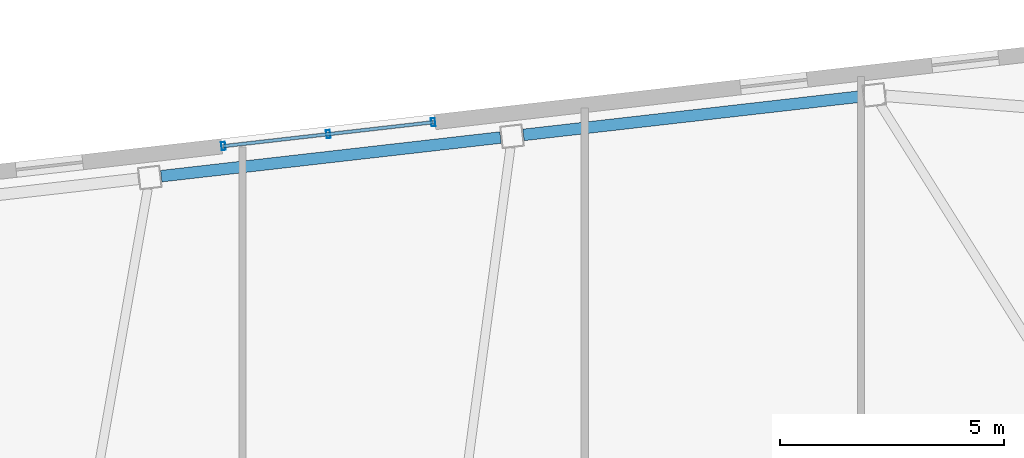
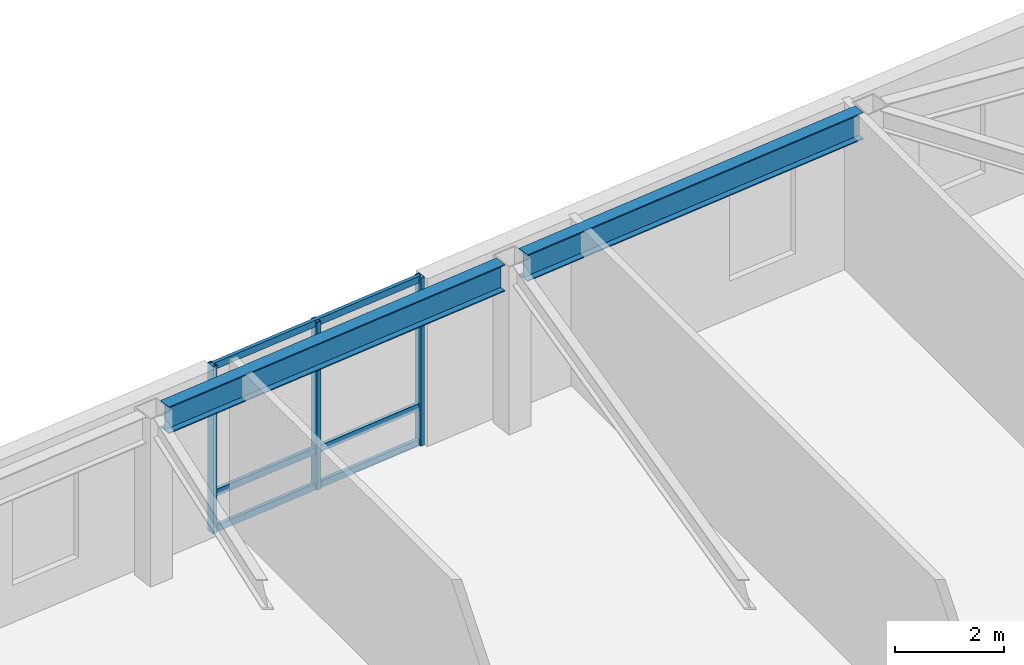
# One storey, part 10 of 19: 6 members, 2 beams, 1 element without a shape of its own.
"""IFC4 building model written with IfcOpenShell, lengths in metres."""

from ifc_helpers import new_model, si_unit, direction, frame, origin, origin_2d, place, context, subcontext, project, spatial, hollow_rectangle, i_section, extrude, material, layer, layer_set, material_profile, profile_set, type_object, element, aggregate, save


model = new_model("IFC4")

# Units and contexts
model_context = context("Model", 3, precision=1e-05, world=origin(), true_north=direction((0.0, 1.0)))
body_context = subcontext(model_context, "Body", "Model", "MODEL_VIEW")
ifc_project = project(units=[si_unit("LENGTHUNIT", "METRE"), si_unit("AREAUNIT", "SQUARE_METRE"), si_unit("VOLUMEUNIT", "CUBIC_METRE"), si_unit("PLANEANGLEUNIT", "RADIAN"), si_unit("MASSUNIT", "GRAM", prefix="KILO")], contexts=[model_context])

# Site, building, storey
site_placement = place(None, origin())
site = spatial("IfcSite", under=ifc_project, at=site_placement, CompositionType="ELEMENT")
building_placement = place(site_placement, origin())
building = spatial("IfcBuilding", under=site, at=building_placement, Name="Tavrogorsk Clinical Tower", CompositionType="ELEMENT")
storey_placement = place(building_placement, frame((0.0, 0.0, 263.0)))
storey = spatial("IfcBuildingStorey", under=building, at=storey_placement, Name="L61", CompositionType="ELEMENT", Elevation=263.0)

# Curtain wall, members
ifc_material_1 = material(Name="Anodised aluminium and triple IGU glazing", Category="aluminium")
ifc_layer = layer(ifc_material_1, 0.179931640625)
ifc_layer_set = layer_set([ifc_layer], Name="Anodised aluminium and triple IGU glazing")
curtain_wall_type = type_object("IfcCurtainWallType", Name="CW2_NorthSlot", PredefinedType="NOTDEFINED", material=ifc_layer_set)
curtain_wall_placement = place(storey_placement, origin())
curtain_wall = element("IfcCurtainWall", 1, at=curtain_wall_placement, inside=storey, type_object=curtain_wall_type, Name="L61 Curtain Wall CW-L61-N-SLOT-2", PredefinedType="NOTDEFINED")
ifc_material_2 = material(Name="Anodised aluminium alloy AW-6060", Category="aluminium")
ifc_material_profile_1 = material_profile(ifc_material_2, hollow_rectangle(XDim=0.090087890625, YDim=0.179931640625, WallThickness=0.00634765625, at=origin_2d()), Name="RHS-180x90x6.3")
ifc_profile_set_1 = profile_set([ifc_material_profile_1], Name="Anodised aluminium alloy AW-6060")
member_type_1 = type_object("IfcMemberType", Name="CwMullion_180x90", PredefinedType="MULLION", material=ifc_profile_set_1)
member_1_placement = place(storey_placement, frame((5.410400390625, 27.270263671875, 0.0), z_axis=(0.0, 0.0, 1.0), x_axis=(-0.993571855603, -0.11320321441, 0.0)))
member_1 = element("IfcMember", 2, at=member_1_placement, type_object=member_type_1, Name="CW-L61-N-SLOT-2 Mullion 1", PredefinedType="MULLION", context=body_context, shape_type="SweptSolid", body=[
    extrude(hollow_rectangle(XDim=0.090087890625, YDim=0.179931640625, WallThickness=0.00634765625, at=origin_2d()), origin(), (0.0, 0.0, 1.0), 3.739990234375),
])
member_2_placement = place(storey_placement, frame((3.06640625, 27.003173828125, 0.0), z_axis=(0.0, 0.0, 1.0), x_axis=(-0.993571855603, -0.11320321441, 0.0)))
member_2 = element("IfcMember", 3, at=member_2_placement, type_object=member_type_1, Name="CW-L61-N-SLOT-2 Mullion 2", PredefinedType="MULLION", context=body_context, shape_type="SweptSolid", body=[
    extrude(hollow_rectangle(XDim=0.090087890625, YDim=0.179931640625, WallThickness=0.00634765625, at=origin_2d()), origin(), (0.0, 0.0, 1.0), 3.739990234375),
])
member_3_placement = place(storey_placement, frame((0.72265625, 26.736083984375, 0.0), z_axis=(0.0, 0.0, 1.0), x_axis=(-0.993571855603, -0.11320321441, 0.0)))
member_3 = element("IfcMember", 4, at=member_3_placement, type_object=member_type_1, Name="CW-L61-N-SLOT-2 Mullion 3", PredefinedType="MULLION", context=body_context, shape_type="SweptSolid", body=[
    extrude(hollow_rectangle(XDim=0.090087890625, YDim=0.179931640625, WallThickness=0.00634765625, at=origin_2d()), origin(), (0.0, 0.0, 1.0), 3.739990234375),
])
ifc_material_3 = material(Name="Anodised aluminium alloy AW-6060", Category="aluminium")
ifc_material_profile_2 = material_profile(ifc_material_3, hollow_rectangle(XDim=0.074951171875, YDim=0.14990234375, WallThickness=0.0048828125, at=origin_2d()), Name="RHS-150x75x5")
ifc_profile_set_2 = profile_set([ifc_material_profile_2], Name="Anodised aluminium alloy AW-6060")
member_type_2 = type_object("IfcMemberType", Name="CwTransom_150x75", PredefinedType="USERDEFINED", material=ifc_profile_set_2)
member_4_placement = place(storey_placement, frame((5.410400390625, 27.270263671875, 0.050048828125), z_axis=(-0.993569979218, -0.113219682023, 0.0), x_axis=(0.113219682023, -0.993569979218, 0.0)))
member_4 = element("IfcMember", 5, at=member_4_placement, type_object=member_type_2, Name="CW-L61-N-SLOT-2 Transom 1", ObjectType="TRANSOM", PredefinedType="USERDEFINED", context=body_context, shape_type="SweptSolid", body=[
    extrude(hollow_rectangle(XDim=0.074951171875, YDim=0.14990234375, WallThickness=0.0048828125, at=origin_2d()), origin(), (0.0, 0.0, 1.0), 4.718017578125),
])
member_5_placement = place(storey_placement, frame((5.410400390625, 27.270263671875, 0.85009765625), z_axis=(-0.993569979218, -0.113219682023, 0.0), x_axis=(0.113219682023, -0.993569979218, 0.0)))
member_5 = element("IfcMember", 6, at=member_5_placement, type_object=member_type_2, Name="CW-L61-N-SLOT-2 Transom 2", ObjectType="TRANSOM", PredefinedType="USERDEFINED", context=body_context, shape_type="SweptSolid", body=[
    extrude(hollow_rectangle(XDim=0.074951171875, YDim=0.14990234375, WallThickness=0.0048828125, at=origin_2d()), origin(), (0.0, 0.0, 1.0), 4.718017578125),
])
member_6_placement = place(storey_placement, frame((5.410400390625, 27.270263671875, 3.68994140625), z_axis=(-0.993569979218, -0.113219682023, 0.0), x_axis=(0.113219682023, -0.993569979218, 0.0)))
member_6 = element("IfcMember", 7, at=member_6_placement, type_object=member_type_2, Name="CW-L61-N-SLOT-2 Transom 3", ObjectType="TRANSOM", PredefinedType="USERDEFINED", context=body_context, shape_type="SweptSolid", body=[
    extrude(hollow_rectangle(XDim=0.074951171875, YDim=0.14990234375, WallThickness=0.0048828125, at=origin_2d()), origin(), (0.0, 0.0, 1.0), 4.718017578125),
])
aggregate(curtain_wall, [member_1, member_2, member_3, member_4, member_5, member_6])

# Beams
ifc_material_4 = material(Name="Structural steel S390", Category="steel")
ifc_material_profile_3 = material_profile(ifc_material_4, i_section(OverallWidth=0.260009765625, OverallDepth=0.60009765625, WebThickness=0.014892578125, FlangeThickness=0.02392578125, at=origin_2d()), Name="B-600x260x15x24")
ifc_profile_set_3 = profile_set([ifc_material_profile_3], Name="Structural steel S390")
beam_type = type_object("IfcBeamType", Name="SpandrelBeam_B600", PredefinedType="SPANDREL", material=ifc_profile_set_3)
for number, where, z_axis, x_axis, name in (
    (8, (15.01220703125, 27.850830078125, 3.43994140625), (-0.993572099834, -0.113201070804, 0.0), (0.113201070804, -0.993572099834, 0.0), "L61 Perimeter Spandrel N2-N3"),
    (9, (6.916015625, 26.928466796875, 3.43994140625), (-0.993572099834, -0.113201070804, 0.0), (0.113201070804, -0.993572099834, 0.0), "L61 Perimeter Spandrel N3-N4"),
):
    element("IfcBeam", number, at=place(storey_placement, frame(where, z_axis=z_axis, x_axis=x_axis)), inside=storey, type_object=beam_type, Name=name, PredefinedType="SPANDREL", context=body_context, shape_type="SweptSolid", body=[
        extrude(i_section(OverallWidth=0.260009765625, OverallDepth=0.60009765625, WebThickness=0.014892578125, FlangeThickness=0.02392578125, at=origin_2d()), origin(), (0.0, 0.0, 1.0), 7.632568359375),
    ])

save(model, "model.ifc")
